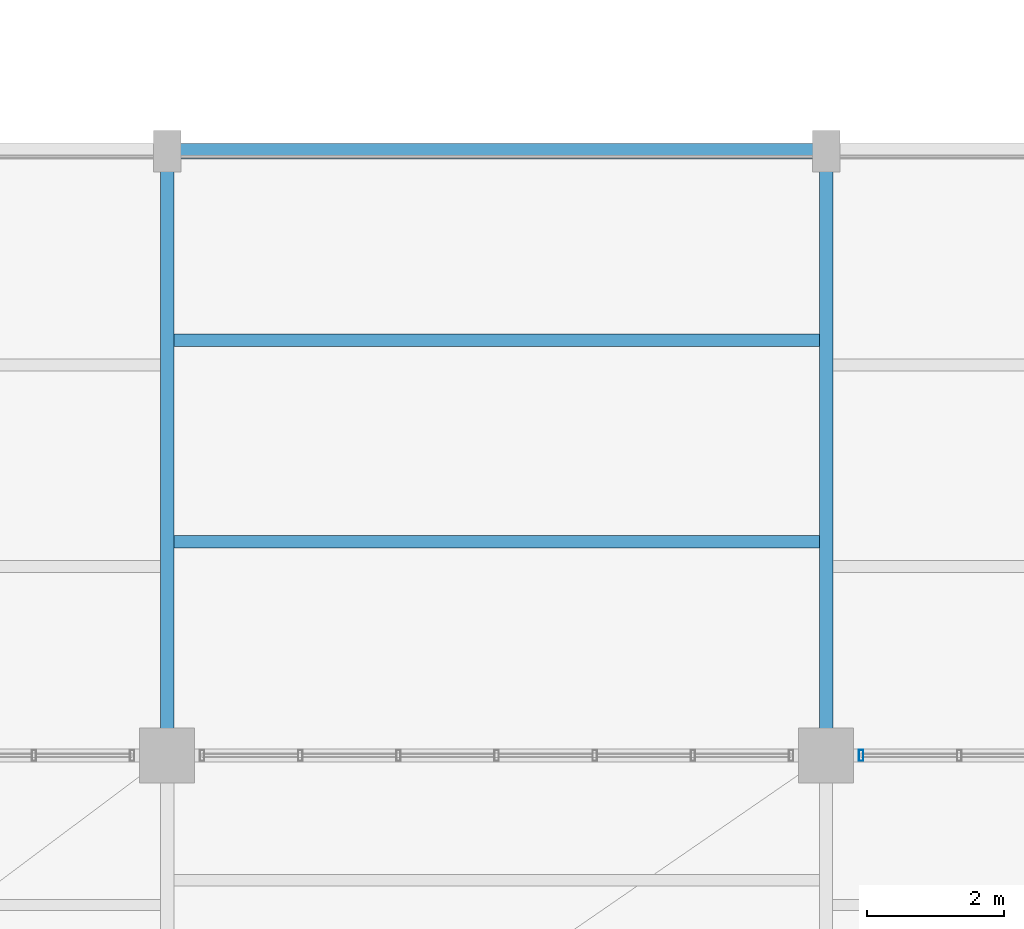
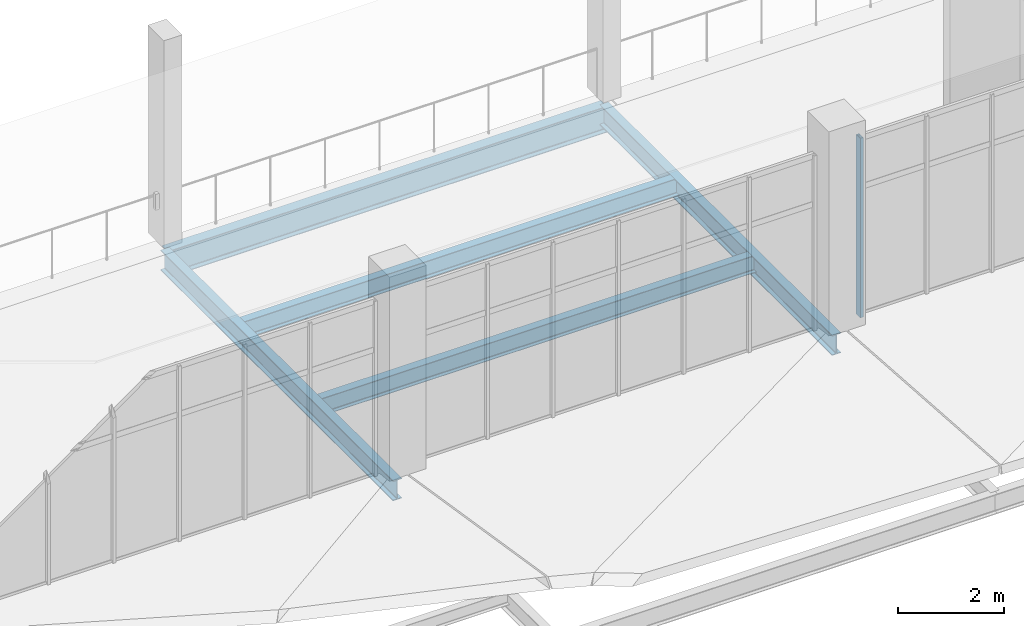
# One storey, part 53 of 157: 5 beams, 1 member, 1 element without a shape of its own.
"""IFC4 building model written with IfcOpenShell, lengths in metres."""

import ifcopenshell
import ifcopenshell.guid

model = None  # the IFC model being written
_history = None  # IfcOwnerHistory: only IFC2X3 demands one
_inside = {}  # id of a spatial element -> (the spatial element, [elements in it])
_under = {}  # id of a project, library or spatial element -> (it, [spatial elements below it])
_declared = {}  # id of a project -> (the project, [libraries it declares])
_typed = {}  # id of a type object -> (the type object, [elements of that type])
_made_of = {}  # id of a material, layer set ... -> (it, [elements and type objects made of it])


def new_model(schema):
    """Start an empty IFC model of exactly this schema.

    Asked for "IFC4X3", IfcOpenShell would pick the latest addendum, in which some entities
    have other attributes; the version numbers below select the first issue.
    IFC2X3 requires an IfcOwnerHistory on every rooted entity: one is made here for all.
    """
    global model, _history
    if schema == "IFC4X3":
        model = ifcopenshell.file(schema_version=(4, 3, 0, 0))
    else:
        model = ifcopenshell.file(schema=schema)
    _inside.clear()
    _under.clear()
    _declared.clear()
    _typed.clear()
    _made_of.clear()
    _history = None
    if model.schema == "IFC2X3":
        org = make("IfcOrganization", Name="unknown")
        user = make(
            "IfcPersonAndOrganization",
            ThePerson=make("IfcPerson", FamilyName="unknown"),
            TheOrganization=org,
        )
        app = make(
            "IfcApplication",
            ApplicationDeveloper=org,
            Version="unknown",
            ApplicationFullName="unknown",
            ApplicationIdentifier="unknown",
        )
        _history = make(
            "IfcOwnerHistory",
            OwningUser=user,
            OwningApplication=app,
            ChangeAction="ADDED",
            CreationDate=0,
        )
    return model


def make(cls, **values):
    """One entity of the class cls with the attributes given. An attribute that is None is left unset."""
    return model.create_entity(
        cls, **{name: value for name, value in values.items() if value is not None}
    )


def rooted(cls, **values):
    """An entity with a GlobalId (a new one), such as an element, a storey or a relation."""
    return make(cls, GlobalId=ifcopenshell.guid.new(), OwnerHistory=_history, **values)


def si_unit(unit_type, name, prefix=None):
    """IfcSIUnit, for example si_unit("LENGTHUNIT", "METRE", prefix="MILLI")."""
    return make("IfcSIUnit", UnitType=unit_type, Prefix=prefix, Name=name)


def assignment(units):
    """IfcUnitAssignment: the units of a project."""
    return None if units is None else make("IfcUnitAssignment", Units=units)


def point(xyz):
    """IfcCartesianPoint."""
    return None if xyz is None else make("IfcCartesianPoint", Coordinates=xyz)


def direction(xyz):
    """IfcDirection."""
    return None if xyz is None else make("IfcDirection", DirectionRatios=xyz)


def frame(location, z_axis=None, x_axis=None):
    """IfcAxis2Placement3D, a coordinate frame: its origin and axes. An axis left out is left unset."""
    return make(
        "IfcAxis2Placement3D",
        Location=point(location),
        Axis=direction(z_axis),
        RefDirection=direction(x_axis),
    )


def frame_2d(location, x_axis=None):
    """IfcAxis2Placement2D, a coordinate frame in the plane: its origin and x axis."""
    return make(
        "IfcAxis2Placement2D", Location=point(location), RefDirection=direction(x_axis)
    )


def origin():
    """The frame at (0, 0, 0) with its axes left unset."""
    return frame((0.0, 0.0, 0.0))


def origin_2d():
    """The frame at (0, 0) in the plane with its x axis left unset."""
    return frame_2d((0.0, 0.0))


def place(relative_to, where):
    """IfcLocalPlacement: puts the frame where relative to a parent placement (None: the world)."""
    return make(
        "IfcLocalPlacement", PlacementRelTo=relative_to, RelativePlacement=where
    )


def context(
    kind, dimensions, precision=None, world=None, true_north=None, identifier=None
):
    """IfcGeometricRepresentationContext, for example the 3D "Model" context."""
    return make(
        "IfcGeometricRepresentationContext",
        ContextIdentifier=identifier,
        ContextType=kind,
        CoordinateSpaceDimension=dimensions,
        Precision=precision,
        WorldCoordinateSystem=world,
        TrueNorth=true_north,
    )


def subcontext(parent, identifier, kind, view, scale=None):
    """IfcGeometricRepresentationSubContext, for example "Body" below "Model"."""
    return make(
        "IfcGeometricRepresentationSubContext",
        ContextIdentifier=identifier,
        ContextType=kind,
        ParentContext=parent,
        TargetScale=scale,
        TargetView=view,
    )


def project(units=None, contexts=None):
    """IfcProject with its units and contexts."""
    return rooted(
        "IfcProject",
        Name="project",
        RepresentationContexts=contexts,
        UnitsInContext=assignment(units),
    )


def spatial(cls, under=None, at=None, **own):
    """A site, building, storey or space (cls), placed at a placement, below another one or the project."""
    s = rooted(cls, ObjectPlacement=at, **own)
    if under is not None:
        _under.setdefault(under.id(), (under, []))[1].append(s)
    return s


def profile(cls, at=None, kind="AREA", **sizes):
    """A parametric profile (cls). Its sizes go by their IFC names, for example OverallWidth=200.0."""
    return make(cls, ProfileType=kind, Position=at, **sizes)


def hollow_rectangle(**sizes):
    """IfcRectangleHollowProfileDef."""
    return profile("IfcRectangleHollowProfileDef", **sizes)


def i_section(**sizes):
    """IfcIShapeProfileDef."""
    return profile("IfcIShapeProfileDef", **sizes)


def extrude(swept, where, along, depth):
    """IfcExtrudedAreaSolid: the profile swept, set in the frame where, extruded along a direction by depth."""
    return make(
        "IfcExtrudedAreaSolid",
        SweptArea=swept,
        Position=where,
        ExtrudedDirection=direction(along),
        Depth=depth,
    )


def shape(context_of_items, identifier, shape_type, items):
    """IfcShapeRepresentation: the items that make up one representation, for example the "Body"."""
    return make(
        "IfcShapeRepresentation",
        ContextOfItems=context_of_items,
        RepresentationIdentifier=identifier,
        RepresentationType=shape_type,
        Items=items,
    )


def material(Name=None, Category=None):
    """IfcMaterial."""
    return make("IfcMaterial", Name=Name, Category=Category)


def layer(
    of_material, thickness, ventilated=None, Name=None, Category=None, Priority=None
):
    """IfcMaterialLayer: one layer of a wall or slab, of a material (None: an air gap)."""
    return make(
        "IfcMaterialLayer",
        Material=of_material,
        LayerThickness=thickness,
        IsVentilated=ventilated,
        Name=Name,
        Category=Category,
        Priority=Priority,
    )


def layer_set(layers, Name=None):
    """IfcMaterialLayerSet."""
    return make("IfcMaterialLayerSet", MaterialLayers=layers, LayerSetName=Name)


def material_profile(
    of_material, cross_section, Name=None, Category=None, Priority=None
):
    """IfcMaterialProfile: a cross section and its material."""
    return make(
        "IfcMaterialProfile",
        Name=Name,
        Material=of_material,
        Profile=cross_section,
        Priority=Priority,
        Category=Category,
    )


def profile_set(profiles, Name=None, composite=None):
    """IfcMaterialProfileSet."""
    return make(
        "IfcMaterialProfileSet",
        Name=Name,
        MaterialProfiles=profiles,
        CompositeProfile=composite,
    )


def made_of(thing, what):
    """Note that an element or type object is made of a material, layer set ...; save() writes the relation."""
    if what is not None:
        _made_of.setdefault(what.id(), (what, []))[1].append(thing)
    return thing


def type_object(cls, material=None, **own):
    """A type object (cls), such as IfcWallType, which elements share."""
    return made_of(rooted(cls, **own), material)


def element(
    cls,
    number,
    at=None,
    inside=None,
    cuts=None,
    type_object=None,
    material=None,
    context=None,
    identifier="Body",
    shape_type=None,
    held_by="IfcProductDefinitionShape",
    body=None,
    shapes=None,
    **own,
):
    """One element of the class cls, such as IfcWall. Its Tag is "e" and its number.

    at: its placement. inside: the storey or other place that contains it. cuts: it is an
    opening in that element (IfcRelVoidsElement). A single representation is given by context,
    identifier, shape_type and body (its items); several are given by shapes. held_by: the class
    of the entity that holds the representations. save() writes the other relations.
    """
    e = rooted(cls, Tag="e%d" % number, ObjectPlacement=at, **own)
    if body is not None:
        shapes = [shape(context, identifier, shape_type, body)]
    if shapes is not None:
        e.Representation = make(held_by, Representations=shapes)
    if inside is not None:
        _inside.setdefault(inside.id(), (inside, []))[1].append(e)
    if cuts is not None:
        rooted(
            "IfcRelVoidsElement", RelatingBuildingElement=cuts, RelatedOpeningElement=e
        )
    if type_object is not None:
        _typed.setdefault(type_object.id(), (type_object, []))[1].append(e)
    return made_of(e, material)


def aggregate(whole, parts):
    """IfcRelAggregates: a whole, such as a stair, and the parts it consists of."""
    return rooted("IfcRelAggregates", RelatingObject=whole, RelatedObjects=parts)


def save(model, path):
    """Write the relations noted so far, then the file.

    IfcRelAggregates (storeys below a building ...), IfcRelContainedInSpatialStructure (elements
    in a storey), IfcRelDefinesByType, IfcRelAssociatesMaterial and IfcRelDeclares: one each for
    every whole, place, type object, material and project.
    """
    for whole, parts in _under.values():
        aggregate(whole, parts)
    for where, things in _inside.values():
        rooted(
            "IfcRelContainedInSpatialStructure",
            RelatedElements=things,
            RelatingStructure=where,
        )
    for kind, things in _typed.values():
        rooted("IfcRelDefinesByType", RelatedObjects=things, RelatingType=kind)
    for what, things in _made_of.values():
        rooted("IfcRelAssociatesMaterial", RelatedObjects=things, RelatingMaterial=what)
    for by, libraries in _declared.values():
        rooted("IfcRelDeclares", RelatingContext=by, RelatedDefinitions=libraries)
    model.write(path)


model = new_model("IFC4")

# Units and contexts
model_context = context("Model", 3, precision=1e-05, world=origin(), true_north=direction((0.0, 1.0)))
body_context = subcontext(model_context, "Body", "Model", "MODEL_VIEW")
ifc_project = project(units=[si_unit("LENGTHUNIT", "METRE"), si_unit("AREAUNIT", "SQUARE_METRE"), si_unit("VOLUMEUNIT", "CUBIC_METRE"), si_unit("PLANEANGLEUNIT", "RADIAN"), si_unit("MASSUNIT", "GRAM", prefix="KILO")], contexts=[model_context])

# Site, building, storey
site_placement = place(None, origin())
site = spatial("IfcSite", under=ifc_project, at=site_placement, CompositionType="ELEMENT")
building_placement = place(site_placement, origin())
building = spatial("IfcBuilding", under=site, at=building_placement, Name="Chalmorin Arch Market", CompositionType="ELEMENT")
storey_placement = place(building_placement, frame((0.0, 0.0, 4.800048828125)))
storey = spatial("IfcBuildingStorey", under=building, at=storey_placement, Name="L01", CompositionType="ELEMENT", Elevation=4.800048828125)

# Curtain wall, member
ifc_material_1 = material(Name="Aluminium 6063-T6", Category="aluminium")
ifc_layer = layer(ifc_material_1, 0.159912109375)
ifc_layer_set = layer_set([ifc_layer], Name="Aluminium 6063-T6")
curtain_wall_type = type_object("IfcCurtainWallType", Name="MarketClerestoryCurtainWall-CW1-8580x4150", PredefinedType="NOTDEFINED", material=ifc_layer_set)
curtain_wall_placement = place(storey_placement, origin())
curtain_wall = element("IfcCurtainWall", 1, at=curtain_wall_placement, inside=storey, type_object=curtain_wall_type, Name="CW-01-020", PredefinedType="NOTDEFINED")
ifc_material_profile_1 = material_profile(ifc_material_1, hollow_rectangle(XDim=0.06494140625, YDim=0.159912109375, WallThickness=0.00390625, at=origin_2d()), Name="ALU65X160X4")
ifc_profile_set_1 = profile_set([ifc_material_profile_1], Name="Aluminium 6063-T6")
member_type = type_object("IfcMemberType", Name="CurtainWallMullion-65x160", PredefinedType="MULLION", material=ifc_profile_set_1)
member_placement = place(storey_placement, frame((106.110107421875, 6.0, 0.0), z_axis=(0.0, 0.0, 1.0), x_axis=(1.0, 0.0, 0.0)))
member = element("IfcMember", 2, at=member_placement, type_object=member_type, Name="ML-020-01", PredefinedType="MULLION", context=body_context, shape_type="SweptSolid", body=[
    extrude(hollow_rectangle(XDim=0.06494140625, YDim=0.159912109375, WallThickness=0.00390625, at=origin_2d()), origin(), (0.0, 0.0, 1.0), 4.14990234375),
])
aggregate(curtain_wall, [member])

# Beams
ifc_material_2 = material(Name="Steel A992 Grade 50", Category="steel")
ifc_material_profile_2 = material_profile(ifc_material_2, i_section(OverallWidth=0.193115234375, OverallDepth=0.466064453125, WebThickness=0.011474609375, FlangeThickness=0.01904296875, FilletRadius=0.02001953125, at=origin_2d()), Name="W18X65")
ifc_profile_set_2 = profile_set([ifc_material_profile_2], Name="Steel A992 Grade 50")
beam_type_1 = type_object("IfcBeamType", Name="FloorSteelBeam-W18X65", PredefinedType="BEAM", material=ifc_profile_set_2)
for number, where, z_axis, x_axis, name in (
    (3, (96.0, 6.0, -0.485107421875), (0.0, 1.0, 0.0), (-1.0, 0.0, 0.0), "BM-W18A-0615"),
    (4, (105.60009765625, 6.0, -0.485107421875), (0.0, 1.0, 0.0), (-1.0, 0.0, 0.0), "BM-W18A-0618"),
):
    element("IfcBeam", number, at=place(storey_placement, frame(where, z_axis=z_axis, x_axis=x_axis)), inside=storey, type_object=beam_type_1, Name=name, PredefinedType="BEAM", context=body_context, shape_type="SweptSolid", body=[
        extrude(i_section(OverallWidth=0.193115234375, OverallDepth=0.466064453125, WebThickness=0.011474609375, FlangeThickness=0.01904296875, FilletRadius=0.02001953125, at=origin_2d()), origin(), (0.0, 0.0, 1.0), 8.800048828125),
    ])
ifc_material_profile_3 = material_profile(ifc_material_2, i_section(OverallWidth=0.22802734375, OverallDepth=0.60791015625, WebThickness=0.01123046875, FlangeThickness=0.017333984375, FilletRadius=0.02392578125, at=origin_2d()), Name="W24X76")
ifc_profile_set_3 = profile_set([ifc_material_profile_3], Name="Steel A992 Grade 50")
beam_type_2 = type_object("IfcBeamType", Name="PrimarySteelGirder-W24X76", PredefinedType="BEAM", material=ifc_profile_set_3)
beam_placement = place(storey_placement, frame((96.0, 14.800048828125, -0.55615234375), z_axis=(1.0, 0.0, 0.0), x_axis=(0.0, 1.0, 0.0)))
element("IfcBeam", 5, at=beam_placement, inside=storey, type_object=beam_type_2, Name="BG-W24B-0617", PredefinedType="BEAM", context=body_context, shape_type="SweptSolid", body=[
    extrude(i_section(OverallWidth=0.22802734375, OverallDepth=0.60791015625, WebThickness=0.01123046875, FlangeThickness=0.017333984375, FilletRadius=0.02392578125, at=origin_2d()), origin(), (0.0, 0.0, 1.0), 9.60009765625),
])
ifc_material_profile_4 = material_profile(ifc_material_2, i_section(OverallWidth=0.177978515625, OverallDepth=0.403076171875, WebThickness=0.007568359375, FlangeThickness=0.010986328125, FilletRadius=0.01806640625, at=origin_2d()), Name="W16X36")
ifc_profile_set_4 = profile_set([ifc_material_profile_4], Name="Steel A992 Grade 50")
beam_type_3 = type_object("IfcBeamType", Name="SecondaryFloorJoist-W16X36", PredefinedType="JOIST", material=ifc_profile_set_4)
for number, where, z_axis, x_axis, name in (
    (6, (96.0, 9.11328125, -0.45361328125), (1.0, 0.0, 0.0), (0.0, 1.0, 0.0), "BJ-W16B-0633"),
    (7, (96.0, 12.046630859375, -0.45361328125), (1.0, 0.0, 0.0), (0.0, 1.0, 0.0), "BJ-W16B-0634"),
):
    element("IfcBeam", number, at=place(storey_placement, frame(where, z_axis=z_axis, x_axis=x_axis)), inside=storey, type_object=beam_type_3, Name=name, PredefinedType="JOIST", context=body_context, shape_type="SweptSolid", body=[
        extrude(i_section(OverallWidth=0.177978515625, OverallDepth=0.403076171875, WebThickness=0.007568359375, FlangeThickness=0.010986328125, FilletRadius=0.01806640625, at=origin_2d()), origin(), (0.0, 0.0, 1.0), 9.60009765625),
    ])

save(model, "model.ifc")
